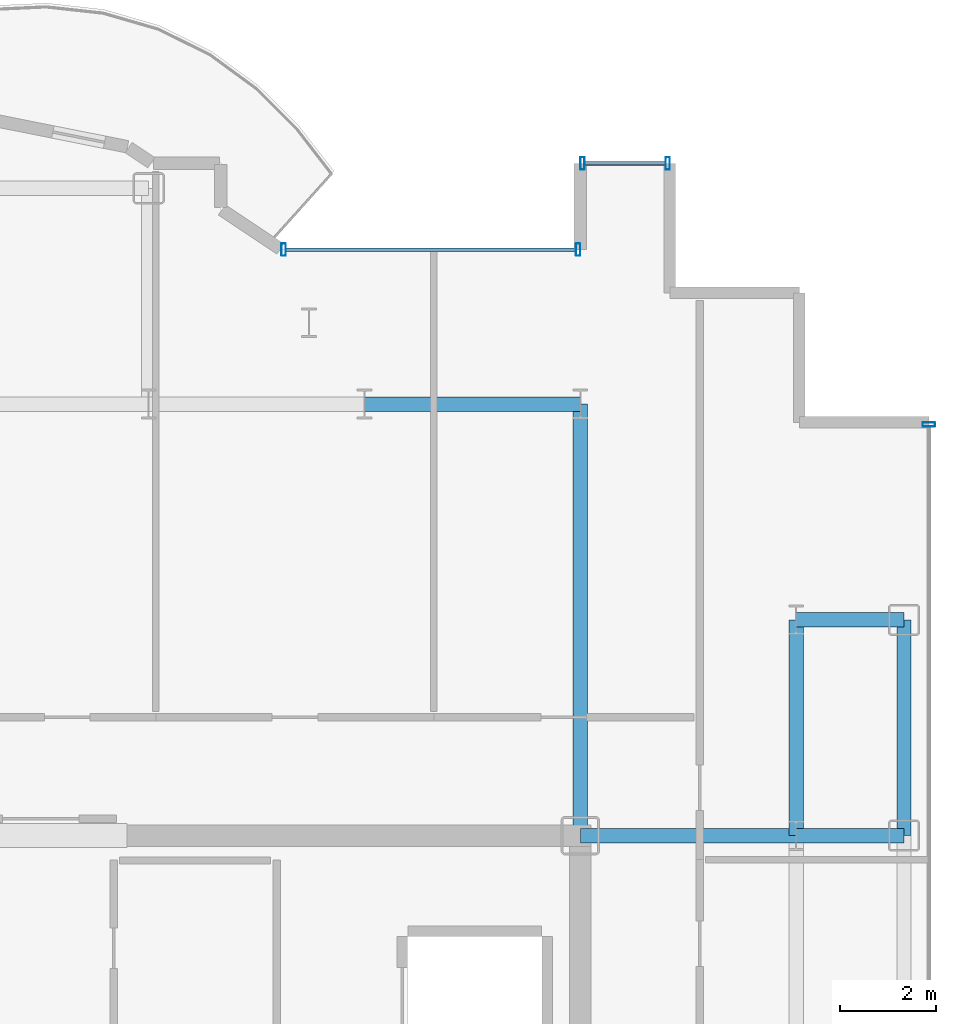
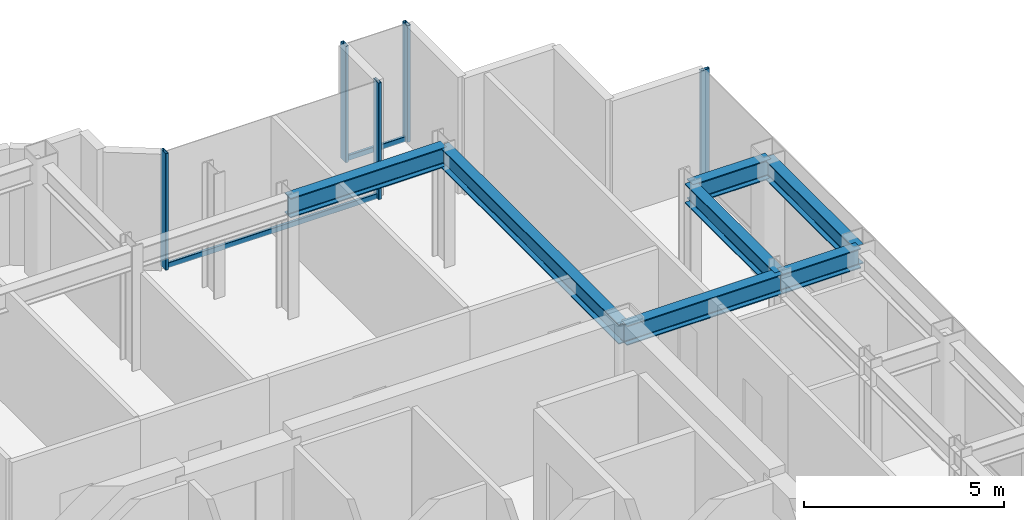
# One storey, part 11 of 18: 7 beams, 7 members, 3 elements without a shape of their own.
"""IFC4 building model written with IfcOpenShell, lengths in metres."""

from ifc_helpers import new_model, si_unit, direction, frame, origin, origin_2d, place, context, subcontext, project, spatial, hollow_rectangle, i_section, extrude, source, transform, mapped, material, layer, layer_set, material_profile, profile_set, type_object, element, aggregate, save


model = new_model("IFC4")

# Units and contexts
model_context = context("Model", 3, precision=1e-05, world=origin(), true_north=direction((0.0, 1.0)))
body_context = subcontext(model_context, "Body", "Model", "MODEL_VIEW")
ifc_project = project(units=[si_unit("LENGTHUNIT", "METRE"), si_unit("AREAUNIT", "SQUARE_METRE"), si_unit("VOLUMEUNIT", "CUBIC_METRE"), si_unit("PLANEANGLEUNIT", "RADIAN"), si_unit("MASSUNIT", "GRAM", prefix="KILO")], contexts=[model_context])

# Site, building, storey
site_placement = place(None, origin())
site = spatial("IfcSite", under=ifc_project, at=site_placement, CompositionType="ELEMENT")
building_placement = place(site_placement, origin())
building = spatial("IfcBuilding", under=site, at=building_placement, Name="Nefas-Gora Pilgrimage Tower", CompositionType="ELEMENT")
storey_placement = place(building_placement, frame((0.0, 0.0, 268.39990234375)))
storey = spatial("IfcBuildingStorey", under=building, at=storey_placement, Name="L67", CompositionType="ELEMENT", Elevation=268.39990234375)

# Beams
ifc_material_1 = material(Name="Steel S355", Category="steel")
ifc_material_profile_1 = material_profile(ifc_material_1, i_section(OverallWidth=0.300048828125, OverallDepth=0.60009765625, WebThickness=0.015380859375, FlangeThickness=0.030029296875, FilletRadius=0.027099609375, at=origin_2d()), Name="HEB 600")
ifc_profile_set_1 = profile_set([ifc_material_profile_1], Name="Steel S355")
beam_type_1 = type_object("IfcBeamType", Name="BM-SPN-HEB450", PredefinedType="SPANDREL", material=ifc_profile_set_1)
shared_shape_1 = source(origin(), body_context, "Body", "SweptSolid", [
    extrude(i_section(OverallWidth=0.300048828125, OverallDepth=0.60009765625, WebThickness=0.015380859375, FlangeThickness=0.030029296875, FilletRadius=0.027099609375, at=origin_2d()), origin(), (0.0, 0.0, 1.0), 4.5),
])
beam_1_placement = place(storey_placement, frame((18.0, 9.0, 3.25), z_axis=(0.0, 1.0, 0.0), x_axis=(-1.0, 0.0, 0.0)))
element("IfcBeam", 1, at=beam_1_placement, inside=storey, type_object=beam_type_1, Name="L67 SP-03 beam", PredefinedType="SPANDREL", context=body_context, shape_type="MappedRepresentation", body=[
    mapped(shared_shape_1, transform((0.0, 0.0, 0.0), x_axis=(1.0, 0.0, 0.0), y_axis=(0.0, 1.0, 0.0), z_axis=(0.0, 0.0, 1.0), scale=1.0)),
])
ifc_material_profile_2 = material_profile(ifc_material_1, i_section(OverallWidth=0.300048828125, OverallDepth=0.60009765625, WebThickness=0.015380859375, FlangeThickness=0.030029296875, FilletRadius=0.027099609375, at=origin_2d()), Name="HEB 600")
ifc_profile_set_2 = profile_set([ifc_material_profile_2], Name="Steel S355")
beam_type_2 = type_object("IfcBeamType", Name="BM-GIR-HEB600", PredefinedType="BEAM", material=ifc_profile_set_2)
shared_shape_2 = source(origin(), body_context, "Body", "SweptSolid", [
    extrude(i_section(OverallWidth=0.300048828125, OverallDepth=0.60009765625, WebThickness=0.015380859375, FlangeThickness=0.030029296875, FilletRadius=0.027099609375, at=origin_2d()), origin(), (0.0, 0.0, 1.0), 9.0),
])
beam_2_placement = place(storey_placement, frame((11.25, 9.0, 3.25), z_axis=(0.0, 1.0, 0.0), x_axis=(-1.0, 0.0, 0.0)))
element("IfcBeam", 2, at=beam_2_placement, inside=storey, type_object=beam_type_2, Name="L67 G-04 beam", PredefinedType="BEAM", context=body_context, shape_type="MappedRepresentation", body=[
    mapped(shared_shape_2, transform((0.0, 0.0, 0.0), x_axis=(1.0, 0.0, 0.0), y_axis=(0.0, 1.0, 0.0), z_axis=(0.0, 0.0, 1.0), scale=1.0)),
])
shared_shape_3 = source(origin(), body_context, "Body", "SweptSolid", [
    extrude(i_section(OverallWidth=0.300048828125, OverallDepth=0.60009765625, WebThickness=0.015380859375, FlangeThickness=0.030029296875, FilletRadius=0.027099609375, at=origin_2d()), origin(), (0.0, 0.0, 1.0), 4.5),
])
for number, where, z_axis, x_axis, name in (
    (3, (6.75, 18.0, 3.25), (1.0, 0.0, 0.0), (0.0, 1.0, 0.0), "L67 G-04 beam"),
    (4, (11.25, 9.0, 3.25), (1.0, 0.0, 0.0), (0.0, 1.0, 0.0), "L67 G-04 beam"),
    (5, (15.75, 9.0, 3.25), (0.0, 1.0, 0.0), (-1.0, 0.0, 0.0), "L67 G-04 beam"),
):
    element("IfcBeam", number, at=place(storey_placement, frame(where, z_axis=z_axis, x_axis=x_axis)), inside=storey, type_object=beam_type_2, Name=name, PredefinedType="BEAM", context=body_context, shape_type="MappedRepresentation", body=[
        mapped(shared_shape_3, transform((0.0, 0.0, 0.0), x_axis=(1.0, 0.0, 0.0), y_axis=(0.0, 1.0, 0.0), z_axis=(0.0, 0.0, 1.0), scale=1.0)),
    ])
shared_shape_4 = source(origin(), body_context, "Body", "SweptSolid", [
    extrude(i_section(OverallWidth=0.300048828125, OverallDepth=0.60009765625, WebThickness=0.015380859375, FlangeThickness=0.030029296875, FilletRadius=0.027099609375, at=origin_2d()), origin(), (0.0, 0.0, 1.0), 2.25),
])
for number, where, z_axis, x_axis, name in (
    (6, (15.75, 9.0, 3.25), (1.0, 0.0, 0.0), (0.0, 1.0, 0.0), "L67 G-04 beam"),
    (7, (15.75, 13.5, 3.25), (1.0, 0.0, 0.0), (0.0, 1.0, 0.0), "L67 G-04 beam"),
):
    element("IfcBeam", number, at=place(storey_placement, frame(where, z_axis=z_axis, x_axis=x_axis)), inside=storey, type_object=beam_type_2, Name=name, PredefinedType="BEAM", context=body_context, shape_type="MappedRepresentation", body=[
        mapped(shared_shape_4, transform((0.0, 0.0, 0.0), x_axis=(1.0, 0.0, 0.0), y_axis=(0.0, 1.0, 0.0), z_axis=(0.0, 0.0, 1.0), scale=1.0)),
    ])

# Curtain wall, members
ifc_material_2 = material(Name="Dark ceramic-fritted solar-control aluminium-glass curtain wall", Category="aluminium")
ifc_layer_1 = layer(ifc_material_2, 0.219970703125)
ifc_layer_set_1 = layer_set([ifc_layer_1], Name="Dark ceramic-fritted solar-control aluminium-glass curtain wall")
curtain_wall_type_1 = type_object("IfcCurtainWallType", Name="CW-SYS-5", PredefinedType="NOTDEFINED", material=ifc_layer_set_1)
curtain_wall_1_placement = place(storey_placement, origin())
curtain_wall_1 = element("IfcCurtainWall", 8, at=curtain_wall_1_placement, inside=storey, type_object=curtain_wall_type_1, Name="L67 Unitised Curtain Wall CW5", PredefinedType="NOTDEFINED")
ifc_material_3 = material(Name="Anodised architectural aluminium", Category="aluminium")
ifc_material_profile_3 = material_profile(ifc_material_3, hollow_rectangle(XDim=0.090087890625, YDim=0.260009765625, WallThickness=0.006103515625, InnerFilletRadius=0.006103515625, OuterFilletRadius=0.011962890625, at=origin_2d()), Name="ALU MULLION 90x260")
ifc_profile_set_3 = profile_set([ifc_material_profile_3], Name="Anodised architectural aluminium")
member_type_1 = type_object("IfcMemberType", Name="CWM-MUL-5", PredefinedType="MULLION", material=ifc_profile_set_3)
shared_shape_5 = source(origin(), body_context, "Body", "SweptSolid", [
    extrude(hollow_rectangle(XDim=0.090087890625, YDim=0.260009765625, WallThickness=0.006103515625, InnerFilletRadius=0.006103515625, OuterFilletRadius=0.011962890625, at=origin_2d()), origin(), (0.0, 0.0, 1.0), 3.550048828125),
])
member_1_placement = place(storey_placement, frame((11.205078125, 21.219970703125, 0.0), z_axis=(0.0, 0.0, 1.0), x_axis=(-1.0, 0.0, 0.0)))
member_1 = element("IfcMember", 9, at=member_1_placement, type_object=member_type_1, Name="CW5 Mullion 1", PredefinedType="MULLION", context=body_context, shape_type="MappedRepresentation", body=[
    mapped(shared_shape_5, transform((0.0, 0.0, 0.0), x_axis=(1.0, 0.0, 0.0), y_axis=(0.0, 1.0, 0.0), z_axis=(0.0, 0.0, 1.0), scale=1.0)),
])
member_2_placement = place(storey_placement, frame((5.06298828125, 21.219970703125, 0.0), z_axis=(0.0, 0.0, 1.0), x_axis=(-1.0, 0.0, 0.0)))
member_2 = element("IfcMember", 10, at=member_2_placement, type_object=member_type_1, Name="CW5 Mullion 2", PredefinedType="MULLION", context=body_context, shape_type="MappedRepresentation", body=[
    mapped(shared_shape_5, transform((0.0, 0.0, 0.0), x_axis=(1.0, 0.0, 0.0), y_axis=(0.0, 1.0, 0.0), z_axis=(0.0, 0.0, 1.0), scale=1.0)),
])
ifc_material_profile_4 = material_profile(ifc_material_3, hollow_rectangle(XDim=0.080078125, YDim=0.159912109375, WallThickness=0.00439453125, InnerFilletRadius=0.00439453125, OuterFilletRadius=0.009033203125, at=origin_2d()), Name="ALU TRANSOM 80x160")
ifc_profile_set_4 = profile_set([ifc_material_profile_4], Name="Anodised architectural aluminium")
member_type_2 = type_object("IfcMemberType", Name="CWM-TRN-5", PredefinedType="USERDEFINED", material=ifc_profile_set_4)
shared_shape_6 = source(origin(), body_context, "Body", "SweptSolid", [
    extrude(hollow_rectangle(XDim=0.080078125, YDim=0.159912109375, WallThickness=0.00439453125, InnerFilletRadius=0.00439453125, OuterFilletRadius=0.009033203125, at=origin_2d()), origin(), (0.0, 0.0, 1.0), 6.052001953125),
])
member_3_placement = place(storey_placement, frame((11.159912109375, 21.219970703125, 0.050048828125), z_axis=(-1.0, 0.0, 0.0), x_axis=(0.0, -1.0, 0.0)))
member_3 = element("IfcMember", 11, at=member_3_placement, type_object=member_type_2, Name="CW5 Spandrel Transom", ObjectType="TRANSOM", PredefinedType="USERDEFINED", context=body_context, shape_type="MappedRepresentation", body=[
    mapped(shared_shape_6, transform((0.0, 0.0, 0.0), x_axis=(1.0, 0.0, 0.0), y_axis=(0.0, 1.0, 0.0), z_axis=(0.0, 0.0, 1.0), scale=1.0)),
])
aggregate(curtain_wall_1, [member_1, member_2, member_3])

# Curtain wall, member
ifc_layer_2 = layer(ifc_material_2, 0.219970703125)
ifc_layer_set_2 = layer_set([ifc_layer_2], Name="Dark ceramic-fritted solar-control aluminium-glass curtain wall")
curtain_wall_type_2 = type_object("IfcCurtainWallType", Name="CW-SYS-4", PredefinedType="NOTDEFINED", material=ifc_layer_set_2)
curtain_wall_2_placement = place(storey_placement, origin())
curtain_wall_2 = element("IfcCurtainWall", 12, at=curtain_wall_2_placement, inside=storey, type_object=curtain_wall_type_2, Name="L67 Unitised Curtain Wall CW4", PredefinedType="NOTDEFINED")
ifc_material_profile_5 = material_profile(ifc_material_3, hollow_rectangle(XDim=0.080078125, YDim=0.159912109375, WallThickness=0.00439453125, InnerFilletRadius=0.00439453125, OuterFilletRadius=0.009033203125, at=origin_2d()), Name="ALU TRANSOM 80x160")
ifc_profile_set_5 = profile_set([ifc_material_profile_5], Name="Anodised architectural aluminium")
member_type_3 = type_object("IfcMemberType", Name="CWM-TRN-4", PredefinedType="USERDEFINED", material=ifc_profile_set_5)
shared_shape_7 = source(origin(), body_context, "Body", "SweptSolid", [
    extrude(hollow_rectangle(XDim=0.080078125, YDim=0.159912109375, WallThickness=0.00439453125, InnerFilletRadius=0.00439453125, OuterFilletRadius=0.009033203125, at=origin_2d()), origin(), (0.0, 0.0, 1.0), 1.68994140625),
])
member_4_placement = place(storey_placement, frame((13.030029296875, 23.02001953125, 0.050048828125), z_axis=(-1.0, 0.0, 0.0), x_axis=(0.0, -1.0, 0.0)))
member_4 = element("IfcMember", 13, at=member_4_placement, type_object=member_type_3, Name="CW4 Spandrel Transom", ObjectType="TRANSOM", PredefinedType="USERDEFINED", context=body_context, shape_type="MappedRepresentation", body=[
    mapped(shared_shape_7, transform((0.0, 0.0, 0.0), x_axis=(1.0, 0.0, 0.0), y_axis=(0.0, 1.0, 0.0), z_axis=(0.0, 0.0, 1.0), scale=1.0)),
])

curtain_wall_3_placement = place(storey_placement, origin())
curtain_wall_3 = element("IfcCurtainWall", 14, at=curtain_wall_3_placement, inside=storey, type_object=curtain_wall_type_2, Name="L67 Unitised Curtain Wall CW4", PredefinedType="NOTDEFINED")
ifc_material_profile_6 = material_profile(ifc_material_3, hollow_rectangle(XDim=0.090087890625, YDim=0.260009765625, WallThickness=0.006103515625, InnerFilletRadius=0.006103515625, OuterFilletRadius=0.011962890625, at=origin_2d()), Name="ALU MULLION 90x260")
ifc_profile_set_6 = profile_set([ifc_material_profile_6], Name="Anodised architectural aluminium")
member_type_4 = type_object("IfcMemberType", Name="CWM-MUL-4", PredefinedType="MULLION", material=ifc_profile_set_6)
shared_shape_8 = source(origin(), body_context, "Body", "SweptSolid", [
    extrude(hollow_rectangle(XDim=0.090087890625, YDim=0.260009765625, WallThickness=0.006103515625, InnerFilletRadius=0.006103515625, OuterFilletRadius=0.011962890625, at=origin_2d()), origin(), (0.0, 0.0, 1.0), 3.550048828125),
])
member_5_placement = place(storey_placement, frame((18.52001953125, 17.574951171875, 0.0), z_axis=(0.0, 0.0, 1.0), x_axis=(0.0, 1.0, 0.0)))
member_5 = element("IfcMember", 15, at=member_5_placement, type_object=member_type_4, Name="CW4 Mullion 3", PredefinedType="MULLION", context=body_context, shape_type="MappedRepresentation", body=[
    mapped(shared_shape_8, transform((0.0, 0.0, 0.0), x_axis=(1.0, 0.0, 0.0), y_axis=(0.0, 1.0, 0.0), z_axis=(0.0, 0.0, 1.0), scale=1.0)),
])
aggregate(curtain_wall_3, [member_5])

# Member
member_6_placement = place(storey_placement, frame((13.074951171875, 23.02001953125, 0.0), z_axis=(0.0, 0.0, 1.0), x_axis=(-1.0, 0.0, 0.0)))
member_6 = element("IfcMember", 16, at=member_6_placement, type_object=member_type_4, Name="CW4 Mullion 1", PredefinedType="MULLION", context=body_context, shape_type="MappedRepresentation", body=[
    mapped(shared_shape_8, transform((0.0, 0.0, 0.0), x_axis=(1.0, 0.0, 0.0), y_axis=(0.0, 1.0, 0.0), z_axis=(0.0, 0.0, 1.0), scale=1.0)),
])

member_7_placement = place(storey_placement, frame((11.294921875, 23.02001953125, 0.0), z_axis=(0.0, 0.0, 1.0), x_axis=(-1.0, 0.0, 0.0)))
member_7 = element("IfcMember", 17, at=member_7_placement, type_object=member_type_4, Name="CW4 Mullion 2", PredefinedType="MULLION", context=body_context, shape_type="MappedRepresentation", body=[
    mapped(shared_shape_8, transform((0.0, 0.0, 0.0), x_axis=(1.0, 0.0, 0.0), y_axis=(0.0, 1.0, 0.0), z_axis=(0.0, 0.0, 1.0), scale=1.0)),
])

aggregate(curtain_wall_2, [member_6, member_7, member_4])

save(model, "model.ifc")
